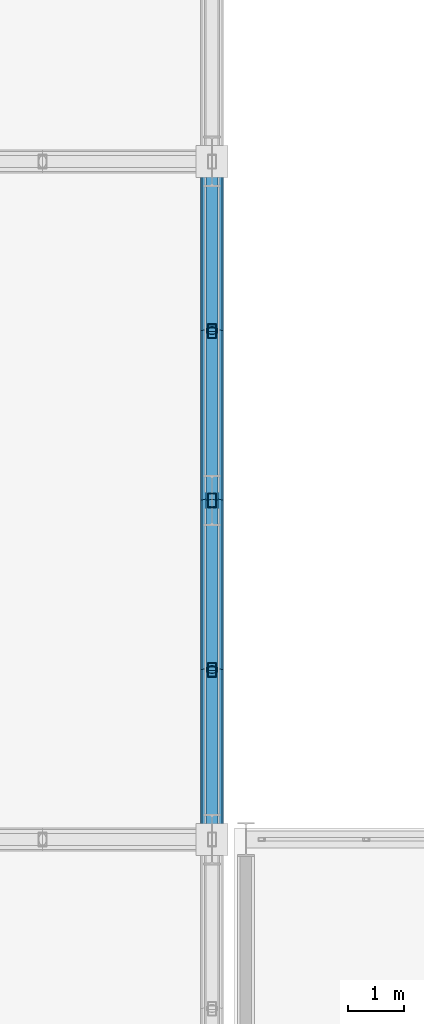
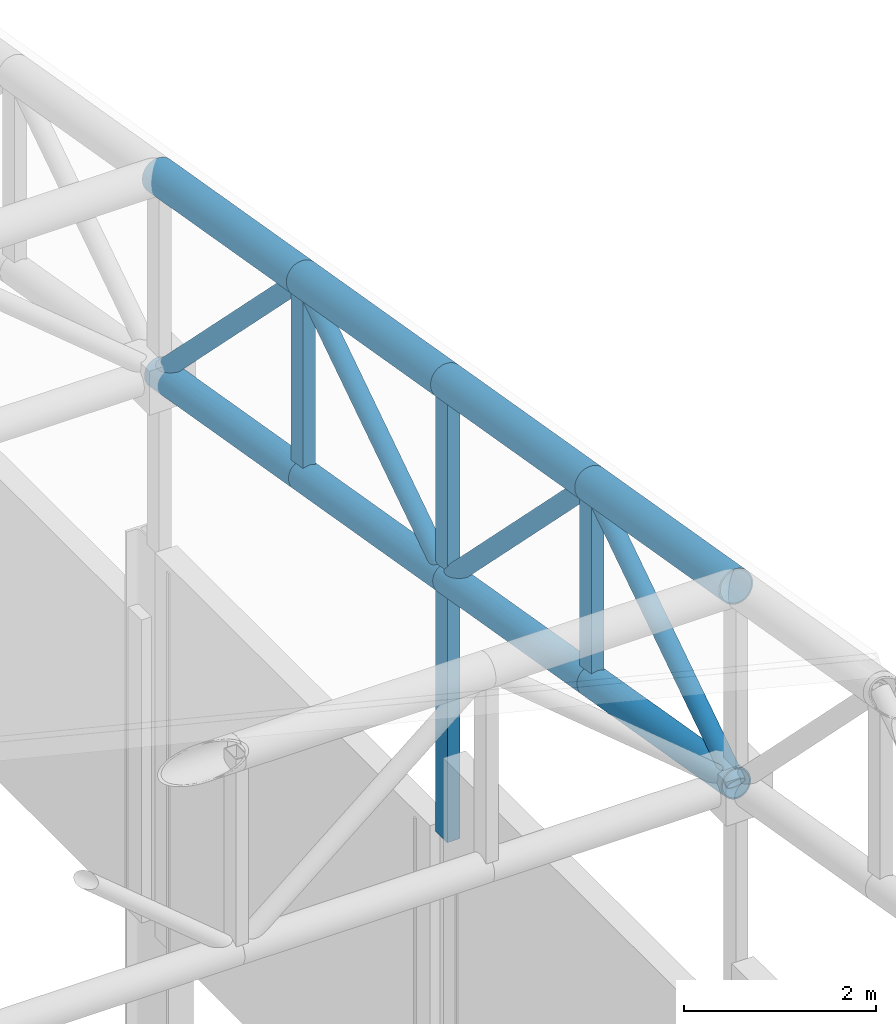
# One storey, part 131 of 239: 15 members.
"""IFC4 building model written with IfcOpenShell, lengths in metres."""

from ifc_helpers import new_model, si_unit, direction, frame, origin, origin_2d, place, context, subcontext, project, spatial, hollow_rectangle, hollow_circle, extrude, material, material_profile, profile_set, type_object, element, save


model = new_model("IFC4")

# Units and contexts
model_context = context("Model", 3, precision=1e-05, world=origin(), true_north=direction((0.0, 1.0)))
body_context = subcontext(model_context, "Body", "Model", "MODEL_VIEW")
ifc_project = project(units=[si_unit("LENGTHUNIT", "METRE"), si_unit("AREAUNIT", "SQUARE_METRE"), si_unit("VOLUMEUNIT", "CUBIC_METRE"), si_unit("PLANEANGLEUNIT", "RADIAN"), si_unit("MASSUNIT", "GRAM", prefix="KILO")], contexts=[model_context])

# Site, building, storey
site_placement = place(None, origin())
site = spatial("IfcSite", under=ifc_project, at=site_placement, CompositionType="ELEMENT")
building_placement = place(site_placement, origin())
building = spatial("IfcBuilding", under=site, at=building_placement, Name="Kaldris Quays Convention Centre", CompositionType="ELEMENT")
storey_placement = place(building_placement, frame((0.0, 0.0, 11.39990234375)))
storey = spatial("IfcBuildingStorey", under=building, at=storey_placement, Name="L02", CompositionType="ELEMENT", Elevation=11.39990234375)

# Members
ifc_material = material(Name="Steel S355J2H", Category="steel")
ifc_material_profile_1 = material_profile(ifc_material, hollow_circle(Radius=0.203125, WallThickness=0.01611328125, at=origin_2d()), Name="CHS 406.4x16")
ifc_profile_set_1 = profile_set([ifc_material_profile_1], Name="Steel S355J2H")
member_type_1 = type_object("IfcMemberType", Name="STRUCTURAL MEMBER SC01", PredefinedType="CHORD", material=ifc_profile_set_1)
for number, where, z_axis, x_axis, name in (
    (1, (146.0, 116.0, 13.7861328125), (0.0, 0.98562912375, -0.168923741424), (-1.0, 0.0, 0.0), "SF-V1 Top Chord Y 553"),
    (2, (146.0, 119.0, 13.27197265625), (0.0, 0.985615766076, -0.169001661712), (-1.0, 0.0, 0.0), "SF-V1 Top Chord Y 554"),
    (3, (146.0, 122.0, 12.757568359375), (0.0, 0.98562912375, -0.168923741424), (-1.0, 0.0, 0.0), "SF-V1 Top Chord Y 555"),
    (4, (146.0, 125.0, 12.243408203125), (0.0, 0.985615766076, -0.169001661712), (-1.0, 0.0, 0.0), "SF-V1 Top Chord Y 556"),
):
    element("IfcMember", number, at=place(storey_placement, frame(where, z_axis=z_axis, x_axis=x_axis)), inside=storey, type_object=member_type_1, Name=name, PredefinedType="CHORD", context=body_context, shape_type="SweptSolid", body=[
        extrude(hollow_circle(Radius=0.203125, WallThickness=0.01611328125, at=origin_2d()), origin(), (0.0, 0.0, 1.0), 3.043701171875),
    ])
ifc_material_profile_2 = material_profile(ifc_material, hollow_circle(Radius=0.177734375, WallThickness=0.01611328125, at=origin_2d()), Name="CHS 355.6x16")
ifc_profile_set_2 = profile_set([ifc_material_profile_2], Name="Steel S355J2H")
member_type_2 = type_object("IfcMemberType", Name="STRUCTURAL MEMBER SC02", PredefinedType="CHORD", material=ifc_profile_set_2)
for number, where, z_axis, x_axis, name in (
    (5, (146.0, 116.0, 11.2861328125), (0.0, 0.98562912375, -0.168923741424), (-1.0, 0.0, 0.0), "SF-V1 Bottom Chord Y 553"),
    (6, (146.0, 119.0, 10.77197265625), (0.0, 0.985615766076, -0.169001661712), (-1.0, 0.0, 0.0), "SF-V1 Bottom Chord Y 554"),
    (7, (146.0, 122.0, 10.257568359375), (0.0, 0.98562912375, -0.168923741424), (-1.0, 0.0, 0.0), "SF-V1 Bottom Chord Y 555"),
    (8, (146.0, 125.0, 9.743408203125), (0.0, 0.985615766076, -0.169001661712), (-1.0, 0.0, 0.0), "SF-V1 Bottom Chord Y 556"),
):
    element("IfcMember", number, at=place(storey_placement, frame(where, z_axis=z_axis, x_axis=x_axis)), inside=storey, type_object=member_type_2, Name=name, PredefinedType="CHORD", context=body_context, shape_type="SweptSolid", body=[
        extrude(hollow_circle(Radius=0.177734375, WallThickness=0.01611328125, at=origin_2d()), origin(), (0.0, 0.0, 1.0), 3.043701171875),
    ])
ifc_material_profile_3 = material_profile(ifc_material, hollow_circle(Radius=0.109619140625, WallThickness=0.010009765625, at=origin_2d()), Name="CHS 219.1x10")
ifc_profile_set_3 = profile_set([ifc_material_profile_3], Name="Steel S355J2H")
member_type_3 = type_object("IfcMemberType", Name="STRUCTURAL MEMBER SWB1", PredefinedType="BRACE", material=ifc_profile_set_3)
member_1_placement = place(storey_placement, frame((146.0, 116.0, 11.2861328125), z_axis=(0.0, 0.833862389808, 0.551972385962), x_axis=(-1.0, 0.0, 0.0)))
element("IfcMember", 9, at=member_1_placement, inside=storey, type_object=member_type_3, Name="SF-V1 Web Diagonal Y 553", PredefinedType="BRACE", context=body_context, shape_type="SweptSolid", body=[
    extrude(hollow_circle(Radius=0.109619140625, WallThickness=0.010009765625, at=origin_2d()), origin(), (0.0, 0.0, 1.0), 3.59765625),
])
member_2_placement = place(storey_placement, frame((146.0, 122.0, 10.257568359375), z_axis=(0.0, -0.705411261057, 0.708798245465), x_axis=(1.0, 0.0, 0.0)))
element("IfcMember", 10, at=member_2_placement, inside=storey, type_object=member_type_3, Name="SF-V1 Web Diagonal Y 554", PredefinedType="BRACE", context=body_context, shape_type="SweptSolid", body=[
    extrude(hollow_circle(Radius=0.109619140625, WallThickness=0.010009765625, at=origin_2d()), origin(), (0.0, 0.0, 1.0), 4.2529296875),
])
member_3_placement = place(storey_placement, frame((146.0, 122.0, 10.257568359375), z_axis=(0.0, 0.833862389808, 0.551972385962), x_axis=(-1.0, 0.0, 0.0)))
element("IfcMember", 11, at=member_3_placement, inside=storey, type_object=member_type_3, Name="SF-V1 Web Diagonal Y 555", PredefinedType="BRACE", context=body_context, shape_type="SweptSolid", body=[
    extrude(hollow_circle(Radius=0.109619140625, WallThickness=0.010009765625, at=origin_2d()), origin(), (0.0, 0.0, 1.0), 3.59765625),
])
member_4_placement = place(storey_placement, frame((146.0, 128.0, 9.22900390625), z_axis=(0.0, -0.705411261057, 0.708798245465), x_axis=(1.0, 0.0, 0.0)))
element("IfcMember", 12, at=member_4_placement, inside=storey, type_object=member_type_3, Name="SF-V1 Web Diagonal Y 556", PredefinedType="BRACE", context=body_context, shape_type="SweptSolid", body=[
    extrude(hollow_circle(Radius=0.109619140625, WallThickness=0.010009765625, at=origin_2d()), origin(), (0.0, 0.0, 1.0), 4.2529296875),
])
ifc_material_profile_4 = material_profile(ifc_material, hollow_rectangle(XDim=0.14990234375, YDim=0.25, WallThickness=0.010009765625, at=origin_2d()), Name="RHS 250x150x10")
ifc_profile_set_4 = profile_set([ifc_material_profile_4], Name="Steel S355J2H")
member_type_4 = type_object("IfcMemberType", Name="STRUCTURAL MEMBER TTV1", PredefinedType="POST", material=ifc_profile_set_4)
member_5_placement = place(storey_placement, frame((146.0, 119.0, 10.77197265625), z_axis=(0.0, 0.0, 1.0), x_axis=(1.0, 0.0, 0.0)))
element("IfcMember", 13, at=member_5_placement, inside=storey, type_object=member_type_4, Name="SF-V1 Space-Frame Post 505", PredefinedType="POST", context=body_context, shape_type="SweptSolid", body=[
    extrude(hollow_rectangle(XDim=0.14990234375, YDim=0.25, WallThickness=0.010009765625, at=origin_2d()), origin(), (0.0, 0.0, 1.0), 2.5),
])
member_6_placement = place(storey_placement, frame((146.0, 122.0, 6.994140625), z_axis=(0.0, 0.0, 1.0), x_axis=(1.0, 0.0, 0.0)))
element("IfcMember", 14, at=member_6_placement, inside=storey, type_object=member_type_4, Name="SF-V1 Space-Frame Post 506", PredefinedType="POST", context=body_context, shape_type="SweptSolid", body=[
    extrude(hollow_rectangle(XDim=0.14990234375, YDim=0.25, WallThickness=0.010009765625, at=origin_2d()), origin(), (0.0, 0.0, 1.0), 5.763427734375),
])
member_7_placement = place(storey_placement, frame((146.0, 125.0, 9.743408203125), z_axis=(0.0, 0.0, 1.0), x_axis=(1.0, 0.0, 0.0)))
element("IfcMember", 15, at=member_7_placement, inside=storey, type_object=member_type_4, Name="SF-V1 Space-Frame Post 507", PredefinedType="POST", context=body_context, shape_type="SweptSolid", body=[
    extrude(hollow_rectangle(XDim=0.14990234375, YDim=0.25, WallThickness=0.010009765625, at=origin_2d()), origin(), (0.0, 0.0, 1.0), 2.5),
])

save(model, "model.ifc")
